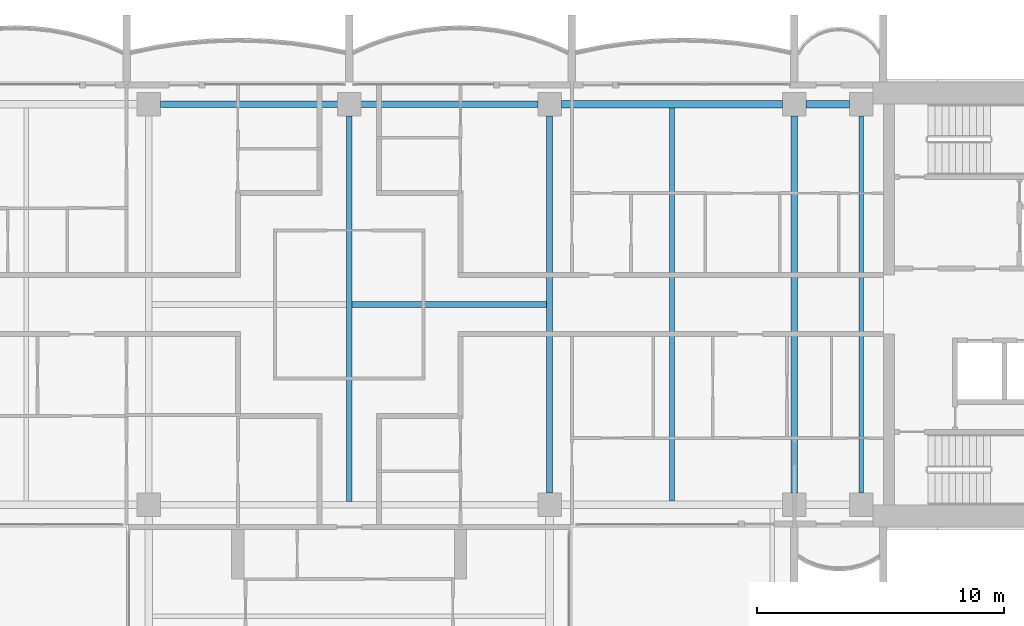
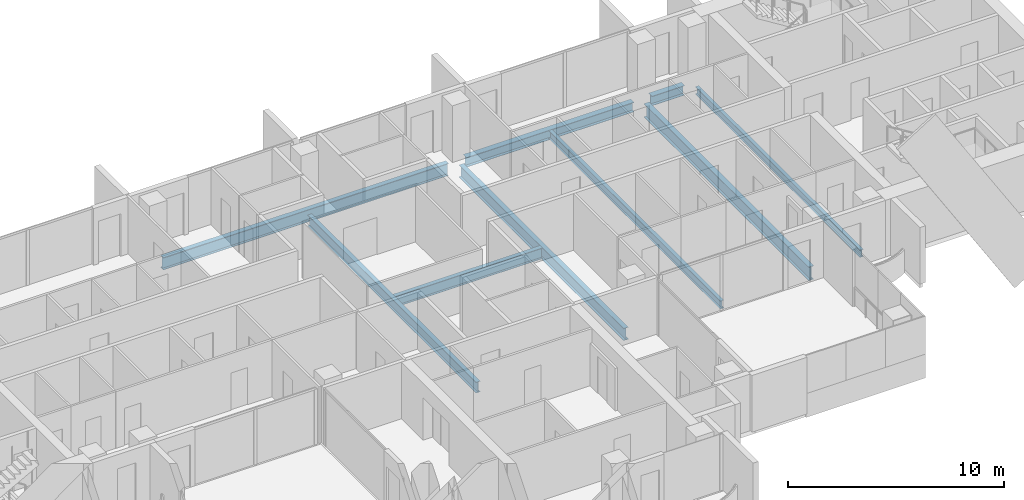
# One storey, part 4 of 18: 9 beams.
"""IFC4 building model written with IfcOpenShell, lengths in metres."""

from ifc_helpers import new_model, si_unit, direction, frame, origin, origin_2d, place, context, subcontext, project, spatial, i_section, extrude, material, material_profile, profile_set, type_object, element, save


model = new_model("IFC4")

# Units and contexts
model_context = context("Model", 3, precision=1e-05, world=origin(), true_north=direction((0.0, 1.0)))
body_context = subcontext(model_context, "Body", "Model", "MODEL_VIEW")
ifc_project = project(units=[si_unit("LENGTHUNIT", "METRE"), si_unit("AREAUNIT", "SQUARE_METRE"), si_unit("VOLUMEUNIT", "CUBIC_METRE"), si_unit("PLANEANGLEUNIT", "RADIAN"), si_unit("MASSUNIT", "GRAM", prefix="KILO")], contexts=[model_context])

# Site, building, storey
site_placement = place(None, origin())
site = spatial("IfcSite", under=ifc_project, at=site_placement, CompositionType="ELEMENT")
building_placement = place(site_placement, origin())
building = spatial("IfcBuilding", under=site, at=building_placement, Name="Perihelion Cross Residences", CompositionType="ELEMENT")
storey_placement = place(building_placement, frame((0.0, 0.0, 219.10009765625)))
storey = spatial("IfcBuildingStorey", under=building, at=storey_placement, Name="L55", CompositionType="ELEMENT", Elevation=219.10009765625)

# Beams
ifc_material_1 = material(Name="Steel S355", Category="steel")
ifc_material_profile_1 = material_profile(ifc_material_1, i_section(OverallWidth=0.180908203125, OverallDepth=0.4169921875, WebThickness=0.010986328125, FlangeThickness=0.018310546875, at=origin_2d()), Name="W410x85")
ifc_profile_set_1 = profile_set([ifc_material_profile_1], Name="Steel S355")
beam_type_1 = type_object("IfcBeamType", Name="Core edge beam W410x85", PredefinedType="BEAM", material=ifc_profile_set_1)
beam_1_placement = place(storey_placement, frame((20.699951171875, -7.625, -0.45849609375), z_axis=(0.0, 1.0, 0.0), x_axis=(-1.0, 0.0, 0.0)))
element("IfcBeam", 1, at=beam_1_placement, inside=storey, type_object=beam_type_1, Name="Core edge beam TB6 L55 no. 2", PredefinedType="BEAM", context=body_context, shape_type="SweptSolid", body=[
    extrude(i_section(OverallWidth=0.180908203125, OverallDepth=0.4169921875, WebThickness=0.010986328125, FlangeThickness=0.018310546875, at=origin_2d()), origin(), (0.0, 0.0, 1.0), 15.25),
])
ifc_material_2 = material(Name="Steel S355", Category="steel")
ifc_material_profile_2 = material_profile(ifc_material_2, i_section(OverallWidth=0.31201171875, OverallDepth=0.5439453125, WebThickness=0.0126953125, FlangeThickness=0.020263671875, at=origin_2d()), Name="W530x150")
ifc_profile_set_2 = profile_set([ifc_material_profile_2], Name="Steel S355")
beam_type_2 = type_object("IfcBeamType", Name="Edge beam W530x150", PredefinedType="SPANDREL", material=ifc_profile_set_2)
beam_2_placement = place(storey_placement, frame((20.22509765625, 8.10009765625, -0.522216796875), z_axis=(-1.0, 0.0, 0.0), x_axis=(0.0, -1.0, 0.0)))
element("IfcBeam", 2, at=beam_2_placement, inside=storey, type_object=beam_type_2, Name="Edge beam SB4 L55 no. 10", PredefinedType="SPANDREL", context=body_context, shape_type="SweptSolid", body=[
    extrude(i_section(OverallWidth=0.31201171875, OverallDepth=0.5439453125, WebThickness=0.0126953125, FlangeThickness=0.020263671875, at=origin_2d()), origin(), (0.0, 0.0, 1.0), 1.75),
])
beam_3_placement = place(storey_placement, frame((17.52490234375, 8.10009765625, -0.522216796875), z_axis=(-1.0, 0.0, 0.0), x_axis=(0.0, -1.0, 0.0)))
element("IfcBeam", 3, at=beam_3_placement, inside=storey, type_object=beam_type_2, Name="Edge beam SB4 L55 no. 9", PredefinedType="SPANDREL", context=body_context, shape_type="SweptSolid", body=[
    extrude(i_section(OverallWidth=0.31201171875, OverallDepth=0.5439453125, WebThickness=0.0126953125, FlangeThickness=0.020263671875, at=origin_2d()), origin(), (0.0, 0.0, 1.0), 8.949951171875),
])
ifc_material_3 = material(Name="Steel S355", Category="steel")
ifc_material_profile_3 = material_profile(ifc_material_3, i_section(OverallWidth=0.26708984375, OverallDepth=0.77001953125, WebThickness=0.015625, FlangeThickness=0.025390625, at=origin_2d()), Name="W760x196")
ifc_profile_set_3 = profile_set([ifc_material_profile_3], Name="Steel S355")
beam_type_3 = type_object("IfcBeamType", Name="Floor girder W760x196", PredefinedType="BEAM", material=ifc_profile_set_3)
beam_4_placement = place(storey_placement, frame((18.0, -7.625, -0.635009765625), z_axis=(0.0, 1.0, 0.0), x_axis=(-1.0, 0.0, 0.0)))
element("IfcBeam", 4, at=beam_4_placement, inside=storey, type_object=beam_type_3, Name="Girder G4 L55 no. 2", PredefinedType="BEAM", context=body_context, shape_type="SweptSolid", body=[
    extrude(i_section(OverallWidth=0.26708984375, OverallDepth=0.77001953125, WebThickness=0.015625, FlangeThickness=0.025390625, at=origin_2d()), origin(), (0.0, 0.0, 1.0), 15.25),
])
ifc_material_4 = material(Name="Steel S355", Category="steel")
ifc_material_profile_4 = material_profile(ifc_material_4, i_section(OverallWidth=0.19091796875, OverallDepth=0.45703125, WebThickness=0.009033203125, FlangeThickness=0.014404296875, at=origin_2d()), Name="W460x74")
ifc_profile_set_4 = profile_set([ifc_material_profile_4], Name="Steel S355")
beam_type_4 = type_object("IfcBeamType", Name="Floor joist W460x74", PredefinedType="JOIST", material=ifc_profile_set_4)
beam_5_placement = place(storey_placement, frame((13.050048828125, -7.944091796875, -0.478515625), z_axis=(0.0, 1.0, 0.0), x_axis=(-1.0, 0.0, 0.0)))
element("IfcBeam", 5, at=beam_5_placement, inside=storey, type_object=beam_type_4, Name="Joist J5 L55 no. 2", PredefinedType="JOIST", context=body_context, shape_type="SweptSolid", body=[
    extrude(i_section(OverallWidth=0.19091796875, OverallDepth=0.45703125, WebThickness=0.009033203125, FlangeThickness=0.014404296875, at=origin_2d()), origin(), (0.0, 0.0, 1.0), 15.88818359375),
])
ifc_material_5 = material(Name="Steel S355", Category="steel")
ifc_material_profile_5 = material_profile(ifc_material_5, i_section(OverallWidth=0.22900390625, OverallDepth=0.612060546875, WebThickness=0.011962890625, FlangeThickness=0.01953125, at=origin_2d()), Name="W610x125")
ifc_profile_set_5 = profile_set([ifc_material_profile_5], Name="Steel S355")
beam_type_5 = type_object("IfcBeamType", Name="Hub cross beam W610x125", PredefinedType="BEAM", material=ifc_profile_set_5)
beam_6_placement = place(storey_placement, frame((0.0, -7.971435546875, -0.55615234375), z_axis=(0.0, 1.0, 0.0), x_axis=(-1.0, 0.0, 0.0)))
element("IfcBeam", 6, at=beam_6_placement, inside=storey, type_object=beam_type_5, Name="Hub cross beam XB4 L55 no. 1", PredefinedType="BEAM", context=body_context, shape_type="SweptSolid", body=[
    extrude(i_section(OverallWidth=0.22900390625, OverallDepth=0.612060546875, WebThickness=0.011962890625, FlangeThickness=0.01953125, at=origin_2d()), origin(), (0.0, 0.0, 1.0), 15.596435546875),
])
beam_7_placement = place(storey_placement, frame((0.114501953125, 0.0, -0.55615234375), z_axis=(1.0, 0.0, 0.0), x_axis=(0.0, 1.0, 0.0)))
element("IfcBeam", 7, at=beam_7_placement, inside=storey, type_object=beam_type_5, Name="Hub cross beam XB4 L55 2 no. 1", PredefinedType="BEAM", context=body_context, shape_type="SweptSolid", body=[
    extrude(i_section(OverallWidth=0.22900390625, OverallDepth=0.612060546875, WebThickness=0.011962890625, FlangeThickness=0.01953125, at=origin_2d()), origin(), (0.0, 0.0, 1.0), 7.85693359375),
])
ifc_material_6 = material(Name="Steel S355", Category="steel")
ifc_material_profile_6 = material_profile(ifc_material_6, i_section(OverallWidth=0.257080078125, OverallDepth=0.693115234375, WebThickness=0.014404296875, FlangeThickness=0.023681640625, at=origin_2d()), Name="W690x170")
ifc_profile_set_6 = profile_set([ifc_material_profile_6], Name="Steel S355")
beam_type_6 = type_object("IfcBeamType", Name="Hub ring girder W690x170", PredefinedType="BEAM", material=ifc_profile_set_6)
for number, where, z_axis, x_axis, name in (
    (8, (8.10009765625, -7.625, -0.5966796875), (0.0, 1.0, 0.0), (-1.0, 0.0, 0.0), "Hub ring girder RG4 L55 no. 3"),
    (9, (7.625, 8.10009765625, -0.5966796875), (-1.0, 0.0, 0.0), (0.0, -1.0, 0.0), "Hub ring girder RG4 L55 no. 4"),
):
    element("IfcBeam", number, at=place(storey_placement, frame(where, z_axis=z_axis, x_axis=x_axis)), inside=storey, type_object=beam_type_6, Name=name, PredefinedType="BEAM", context=body_context, shape_type="SweptSolid", body=[
        extrude(i_section(OverallWidth=0.257080078125, OverallDepth=0.693115234375, WebThickness=0.014404296875, FlangeThickness=0.023681640625, at=origin_2d()), origin(), (0.0, 0.0, 1.0), 15.25),
    ])

save(model, "model.ifc")
